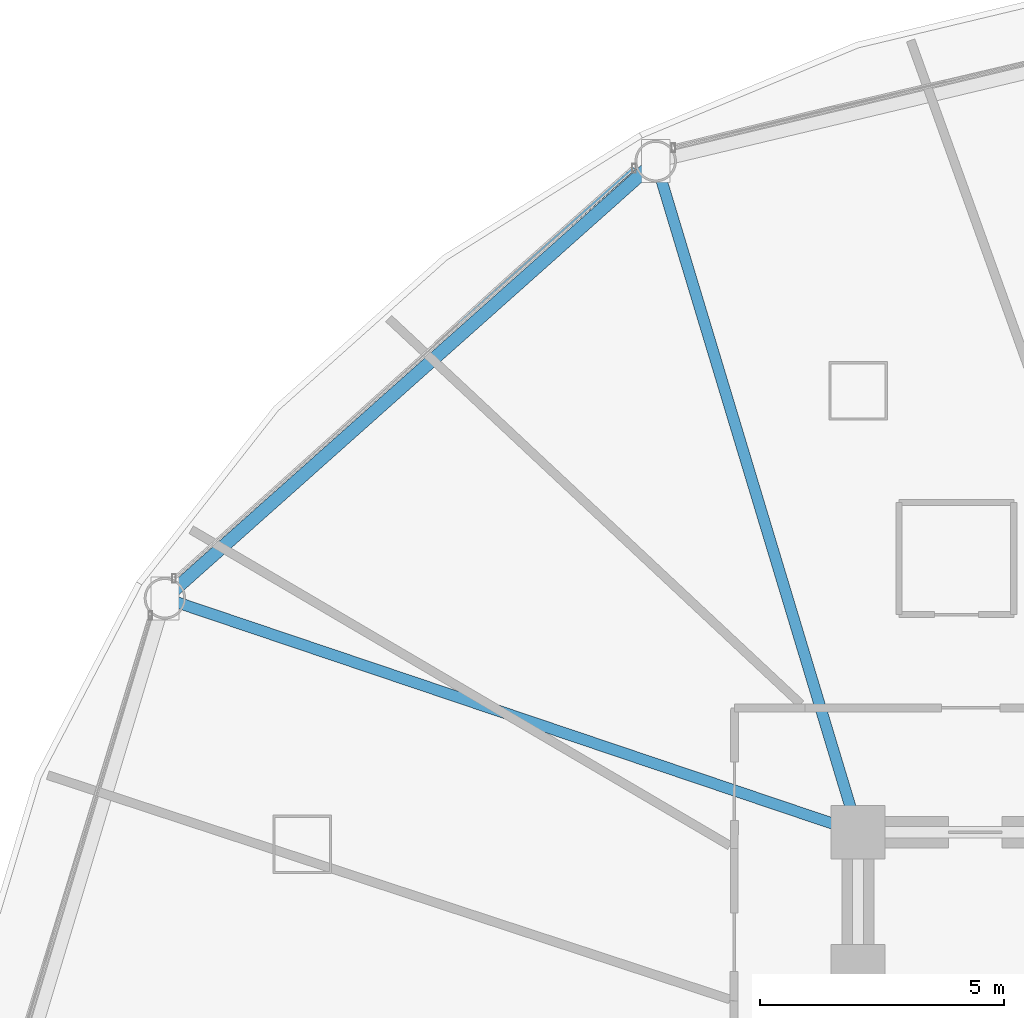
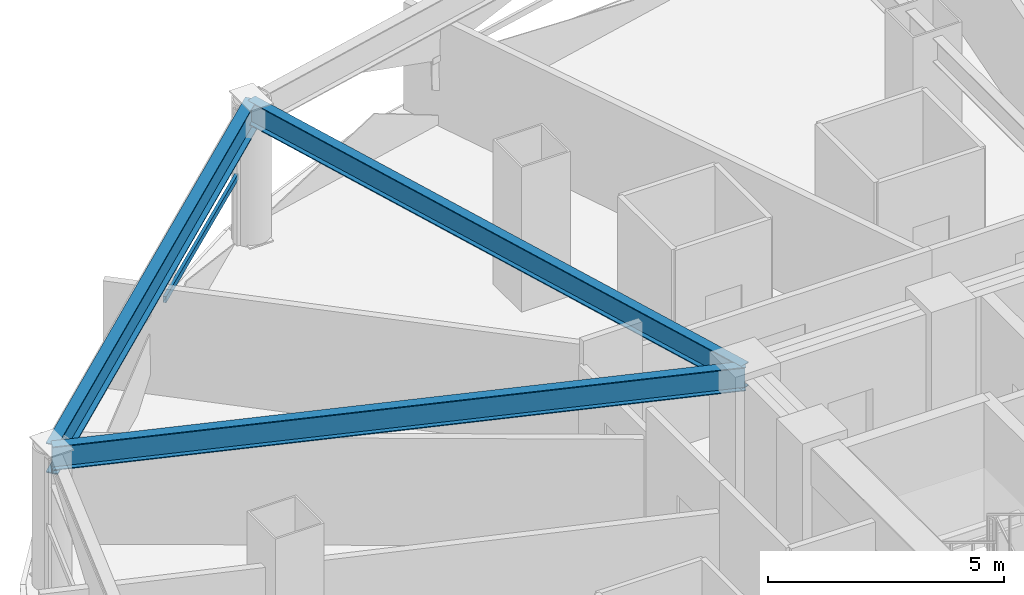
# One storey, part 14 of 30: 3 beams, 1 member, 1 element without a shape of its own.
"""IFC4 building model written with IfcOpenShell, lengths in metres."""

from ifc_helpers import new_model, si_unit, direction, frame, origin, origin_2d, place, context, subcontext, project, spatial, hollow_rectangle, i_section, extrude, material, layer, layer_set, material_profile, profile_set, type_object, element, aggregate, save


model = new_model("IFC4")

# Units and contexts
model_context = context("Model", 3, precision=1e-05, world=origin(), true_north=direction((0.0, 1.0)))
body_context = subcontext(model_context, "Body", "Model", "MODEL_VIEW")
ifc_project = project(units=[si_unit("LENGTHUNIT", "METRE"), si_unit("AREAUNIT", "SQUARE_METRE"), si_unit("VOLUMEUNIT", "CUBIC_METRE"), si_unit("PLANEANGLEUNIT", "RADIAN"), si_unit("MASSUNIT", "GRAM", prefix="KILO")], contexts=[model_context])

# Site, building, storey
site_placement = place(None, origin())
site = spatial("IfcSite", under=ifc_project, at=site_placement, CompositionType="ELEMENT")
building_placement = place(site_placement, origin())
building = spatial("IfcBuilding", under=site, at=building_placement, Name="Vantalir Tower", CompositionType="ELEMENT")
storey_placement = place(building_placement, frame((0.0, 0.0, 83.25)))
storey = spatial("IfcBuildingStorey", under=building, at=storey_placement, Name="L20", CompositionType="ELEMENT", Elevation=83.25)

# Beams
ifc_material_1 = material(Name="Steel S355", Category="steel")
ifc_material_profile_1 = material_profile(ifc_material_1, i_section(OverallWidth=0.22998046875, OverallDepth=0.616943359375, WebThickness=0.01318359375, FlangeThickness=0.022216796875, at=origin_2d()), Name="Steel S355")
ifc_profile_set_1 = profile_set([ifc_material_profile_1], Name="Steel S355")
beam_type_1 = type_object("IfcBeamType", Name="BM-RB-610x229", PredefinedType="BEAM", material=ifc_profile_set_1)
beam_1_placement = place(storey_placement, frame((17.75, 46.212890625, 3.261962890625), z_axis=(0.288689161262, -0.957422878445, 0.0), x_axis=(0.957422878445, 0.288689161262, 0.0)))
element("IfcBeam", 1, at=beam_1_placement, inside=storey, type_object=beam_type_1, Name="L20 Radial Floor Beam 05", PredefinedType="BEAM", context=body_context, shape_type="SweptSolid", body=[
    extrude(i_section(OverallWidth=0.22998046875, OverallDepth=0.616943359375, WebThickness=0.01318359375, FlangeThickness=0.022216796875, at=origin_2d()), origin(), (0.0, 0.0, 1.0), 14.375),
])
beam_2_placement = place(storey_placement, frame((7.68408203125, 37.2470703125, 3.261962890625), z_axis=(0.947506822468, -0.319735549129, 0.0), x_axis=(0.319735549129, 0.947506822468, 0.0)))
element("IfcBeam", 2, at=beam_2_placement, inside=storey, type_object=beam_type_1, Name="L20 Radial Floor Beam 06", PredefinedType="BEAM", context=body_context, shape_type="SweptSolid", body=[
    extrude(i_section(OverallWidth=0.22998046875, OverallDepth=0.616943359375, WebThickness=0.01318359375, FlangeThickness=0.022216796875, at=origin_2d()), origin(), (0.0, 0.0, 1.0), 15.00341796875),
])
ifc_material_2 = material(Name="Steel S460", Category="steel")
ifc_material_profile_2 = material_profile(ifc_material_2, i_section(OverallWidth=0.26806640625, OverallDepth=0.77001953125, WebThickness=0.015625, FlangeThickness=0.025390625, at=origin_2d()), Name="Steel S460")
ifc_profile_set_2 = profile_set([ifc_material_profile_2], Name="Steel S460")
beam_type_2 = type_object("IfcBeamType", Name="BM-RG-762x267", PredefinedType="USERDEFINED", material=ifc_profile_set_2)
beam_3_placement = place(storey_placement, frame((17.75, 46.212890625, 3.18505859375), z_axis=(-0.746733439209, -0.665123425213, 0.0), x_axis=(0.665123425213, -0.746733439209, 0.0)))
element("IfcBeam", 3, at=beam_3_placement, inside=storey, type_object=beam_type_2, Name="L20 Circumferential Ring Girder 05", ObjectType="GIRDER", PredefinedType="USERDEFINED", context=body_context, shape_type="SweptSolid", body=[
    extrude(i_section(OverallWidth=0.26806640625, OverallDepth=0.77001953125, WebThickness=0.015625, FlangeThickness=0.025390625, at=origin_2d()), origin(), (0.0, 0.0, 1.0), 13.47998046875),
])

# Curtain wall, member
ifc_material_3 = material(Name="Champagne-silver PVDF aluminium and double-silver Low-E glass", Category="aluminium")
ifc_layer = layer(ifc_material_3, 0.18994140625)
ifc_layer_set = layer_set([ifc_layer], Name="Champagne-silver PVDF aluminium and double-silver Low-E glass")
curtain_wall_type = type_object("IfcCurtainWallType", Name="CW-DIAMOND-Z1", PredefinedType="USERDEFINED", material=ifc_layer_set)
curtain_wall_placement = place(storey_placement, origin())
curtain_wall = element("IfcCurtainWall", 4, at=curtain_wall_placement, inside=storey, type_object=curtain_wall_type, Name="L20 Quilted Pyramid-Diamond Curtain Wall S05", ObjectType="UNITISED CURTAIN WALL", PredefinedType="USERDEFINED")
ifc_material_4 = material(Name="Champagne-silver PVDF aluminium 6063-T6", Category="aluminium")
ifc_material_profile_3 = material_profile(ifc_material_4, hollow_rectangle(XDim=0.074951171875, YDim=0.159912109375, WallThickness=0.00390625, at=origin_2d()), Name="Champagne-silver PVDF aluminium 6063-T6")
ifc_profile_set_3 = profile_set([ifc_material_profile_3], Name="Champagne-silver PVDF aluminium 6063-T6")
member_type = type_object("IfcMemberType", Name="CWT-160x75", PredefinedType="USERDEFINED", material=ifc_profile_set_3)
member_placement = place(storey_placement, frame((17.303955078125, 46.06494140625, 1.784912109375), z_axis=(-0.749679127072, -0.661801485668, 0.0), x_axis=(0.661801485668, -0.749679127072, 0.0)))
member = element("IfcMember", 5, at=member_placement, type_object=member_type, Name="CW-L20-S05 Pyramid Fold Ridge Transom", ObjectType="TRANSOM", PredefinedType="USERDEFINED", context=body_context, shape_type="SweptSolid", body=[
    extrude(hollow_rectangle(XDim=0.074951171875, YDim=0.159912109375, WallThickness=0.00390625, at=origin_2d()), origin(), (0.0, 0.0, 1.0), 4.803466796875),
])
aggregate(curtain_wall, [member])

save(model, "model.ifc")
